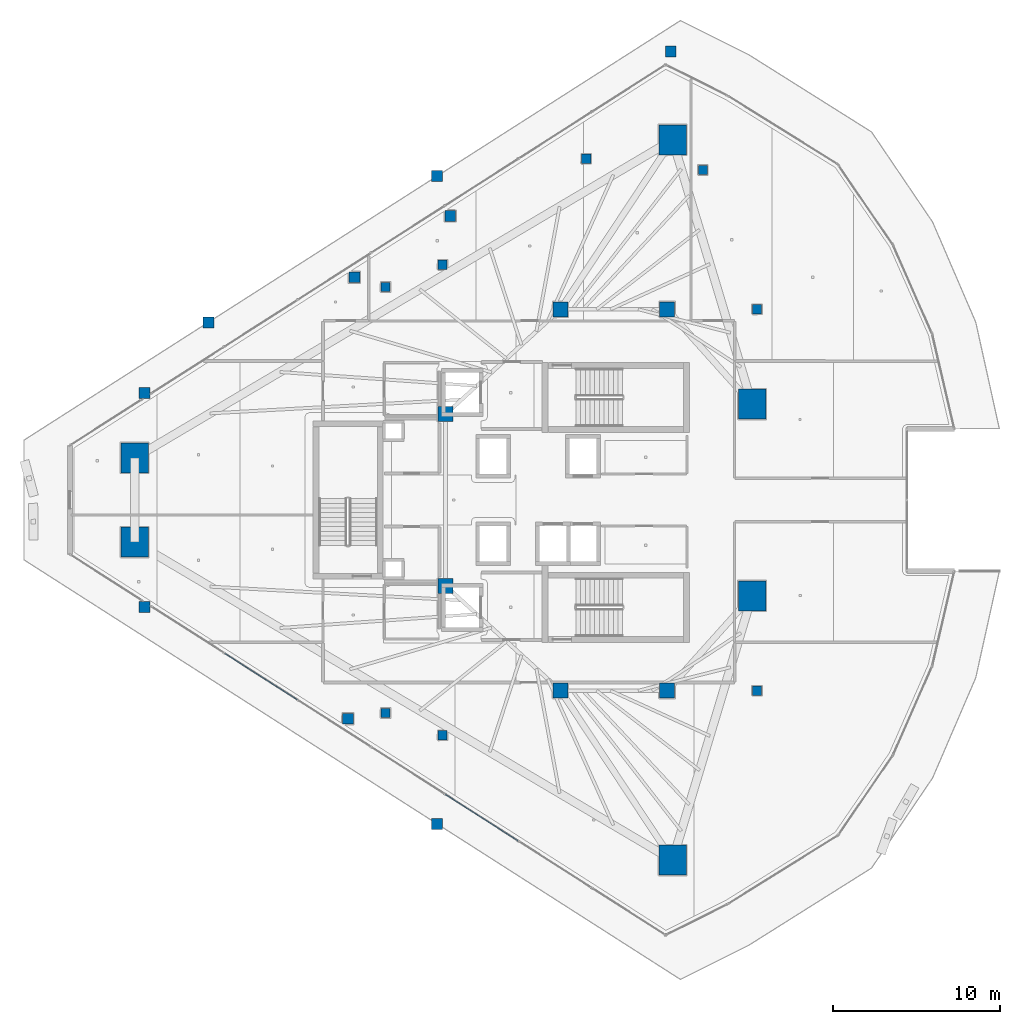
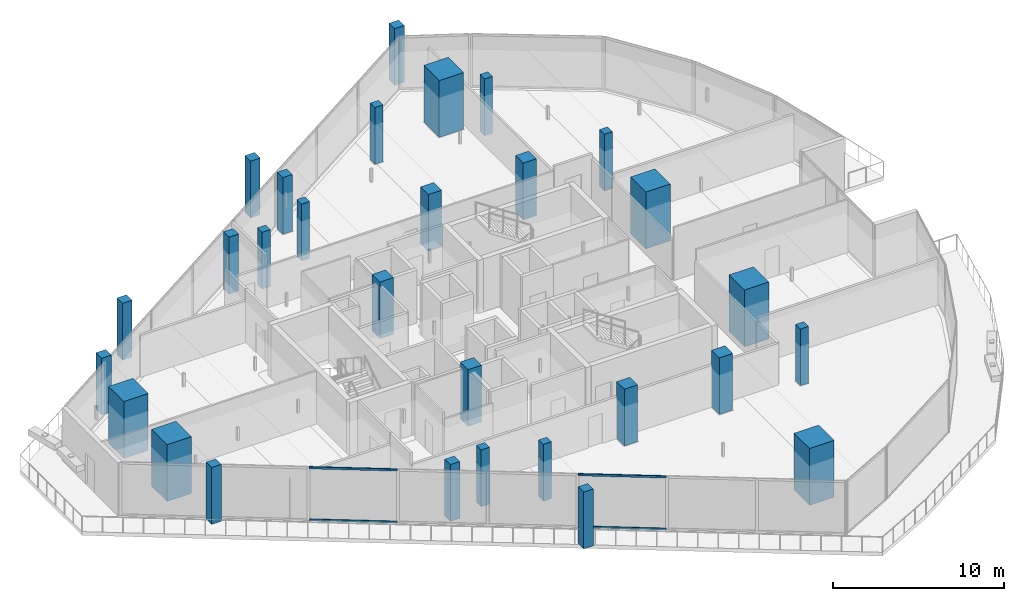
# One storey, part 1 of 30: 29 columns, 4 members, 1 element without a shape of its own.
"""IFC4 building model written with IfcOpenShell, lengths in metres."""

from ifc_helpers import new_model, si_unit, direction, frame, origin, origin_2d, place, context, subcontext, project, spatial, rectangle, hollow_rectangle, extrude, material, layer, layer_set, material_profile, profile_set, type_object, element, aggregate, save


model = new_model("IFC4")

# Units and contexts
model_context = context("Model", 3, precision=1e-05, world=origin(), true_north=direction((0.0, 1.0)))
body_context = subcontext(model_context, "Body", "Model", "MODEL_VIEW")
ifc_project = project(units=[si_unit("LENGTHUNIT", "METRE"), si_unit("AREAUNIT", "SQUARE_METRE"), si_unit("VOLUMEUNIT", "CUBIC_METRE"), si_unit("PLANEANGLEUNIT", "RADIAN"), si_unit("MASSUNIT", "GRAM", prefix="KILO")], contexts=[model_context])

# Site, building, storey
site_placement = place(None, origin())
site = spatial("IfcSite", under=ifc_project, at=site_placement, CompositionType="ELEMENT")
building_placement = place(site_placement, origin())
building = spatial("IfcBuilding", under=site, at=building_placement, Name="Qorvath Tower", CompositionType="ELEMENT")
storey_placement = place(building_placement, frame((0.0, 0.0, 217.199951171875)))
storey = spatial("IfcBuildingStorey", under=building, at=storey_placement, Name="L50", CompositionType="ELEMENT", Elevation=217.199951171875)

# Columns
ifc_material_1 = material(Name="Concrete C60/75", Category="concrete")
ifc_material_profile_1 = material_profile(ifc_material_1, rectangle(XDim=1.64990234375, YDim=1.800048828125, at=origin_2d()), Name="MC 1800x1650")
ifc_profile_set_1 = profile_set([ifc_material_profile_1], Name="Concrete C60/75")
column_type_1 = type_object("IfcColumnType", Name="COL-MC4", PredefinedType="COLUMN", material=ifc_profile_set_1)
for number, where, z_axis, x_axis, name in (
    (1, (-49.171875, 2.52783203125, 0.0), (0.0, 0.0, 1.0), (1.0, 0.0, 0.0), "Composite Mega-Column MC1 L50"),
    (2, (-49.171875, -2.52783203125, 0.0), (0.0, 0.0, 1.0), (1.0, 0.0, 0.0), "Composite Mega-Column MC2 L50"),
    (3, (-16.87158203125, -21.627197265625, 0.0), (0.0, 0.0, 1.0), (1.0, 0.0, 0.0), "Composite Mega-Column MC3 L50"),
    (4, (-12.0966796875, -5.7578125, 0.0), (0.0, 0.0, 1.0), (1.0, 0.0, 0.0), "Composite Mega-Column MC4 L50"),
    (5, (-12.0966796875, 5.7578125, 0.0), (0.0, 0.0, 1.0), (1.0, 0.0, 0.0), "Composite Mega-Column MC5 L50"),
    (6, (-16.87158203125, 21.627197265625, 0.0), (0.0, 0.0, 1.0), (1.0, 0.0, 0.0), "Composite Mega-Column MC6 L50"),
):
    element("IfcColumn", number, at=place(storey_placement, frame(where, z_axis=z_axis, x_axis=x_axis)), inside=storey, type_object=column_type_1, Name=name, PredefinedType="COLUMN", context=body_context, shape_type="SweptSolid", body=[
        extrude(rectangle(XDim=1.64990234375, YDim=1.800048828125, at=origin_2d()), origin(), (0.0, 0.0, 1.0), 4.050048828125),
    ])
ifc_material_2 = material(Name="Concrete C50/60", Category="concrete")
ifc_material_profile_2 = material_profile(ifc_material_2, rectangle(XDim=0.89990234375, YDim=0.89990234375, at=origin_2d()), Name="RC 900x900")
ifc_profile_set_2 = profile_set([ifc_material_profile_2], Name="Concrete C50/60")
column_type_2 = type_object("IfcColumnType", Name="COL-RC3", PredefinedType="COLUMN", material=ifc_profile_set_2)
for number, where, z_axis, x_axis, name in (
    (7, (-23.60009765625, 11.449951171875, 0.0), (0.0, 0.0, 1.0), (1.0, 0.0, 0.0), "Core Spine Column CC1 L50"),
    (8, (-17.199951171875, 11.449951171875, 0.0), (0.0, 0.0, 1.0), (1.0, 0.0, 0.0), "Core Spine Column CC2 L50"),
    (9, (-17.199951171875, -11.449951171875, 0.0), (0.0, 0.0, 1.0), (1.0, 0.0, 0.0), "Core Spine Column CC3 L50"),
    (10, (-23.60009765625, -11.449951171875, 0.0), (0.0, 0.0, 1.0), (1.0, 0.0, 0.0), "Core Spine Column CC4 L50"),
    (11, (-30.5, 5.14990234375, 0.0), (0.0, 0.0, 1.0), (1.0, 0.0, 0.0), "Core Spine Column CC5 L50"),
    (12, (-30.5, -5.14990234375, 0.0), (0.0, 0.0, 1.0), (1.0, 0.0, 0.0), "Core Spine Column CC6 L50"),
):
    element("IfcColumn", number, at=place(storey_placement, frame(where, z_axis=z_axis, x_axis=x_axis)), inside=storey, type_object=column_type_2, Name=name, PredefinedType="COLUMN", context=body_context, shape_type="SweptSolid", body=[
        extrude(rectangle(XDim=0.89990234375, YDim=0.89990234375, at=origin_2d()), origin(), (0.0, 0.0, 1.0), 4.050048828125),
    ])
ifc_material_3 = material(Name="Concrete C45/55", Category="concrete")
ifc_material_profile_3 = material_profile(ifc_material_3, rectangle(XDim=0.64990234375, YDim=0.64990234375, at=origin_2d()), Name="RC 650x650")
ifc_profile_set_3 = profile_set([ifc_material_profile_3], Name="Concrete C45/55")
column_type_3 = type_object("IfcColumnType", Name="COL-RC6", PredefinedType="COLUMN", material=ifc_profile_set_3)
for number, where, z_axis, x_axis, name in (
    (13, (-31.01611328125, 19.46044921875, 0.0), (0.0, 0.0, 1.0), (1.0, 0.0, 0.0), "Loggia Frame Pier Column LGD1 L50"),
    (14, (-31.01611328125, -19.46044921875, 0.0), (0.0, 0.0, 1.0), (1.0, 0.0, 0.0), "Loggia Frame Pier Column LGD2 L50"),
    (15, (-44.736328125, 10.65234375, 0.0), (0.0, 0.0, 1.0), (1.0, 0.0, 0.0), "Loggia Frame Pier Column LGD3 L50"),
    (16, (-48.578369140625, 6.424560546875, 0.0), (0.0, 0.0, 1.0), (1.0, 0.0, 0.0), "Loggia Frame Pier Column LGE1 L50"),
    (17, (-48.578369140625, -6.424560546875, 0.0), (0.0, 0.0, 1.0), (1.0, 0.0, 0.0), "Loggia Frame Pier Column LGE2 L50"),
    (18, (-16.981201171875, 26.92919921875, 0.0), (0.0, 0.0, 1.0), (1.0, 0.0, 0.0), "Loggia Frame Pier Column LGE3 L50"),
    (19, (-35.980712890625, 13.380859375, 0.0), (0.0, 0.0, 1.0), (1.0, 0.0, 0.0), "Loggia Frame Pier Column LGF1 L50"),
    (20, (-36.36474609375, -13.135498046875, 0.0), (0.0, 0.0, 1.0), (1.0, 0.0, 0.0), "Loggia Frame Pier Column LGF2 L50"),
    (21, (-30.224853515625, 17.0595703125, 0.0), (0.0, 0.0, 1.0), (1.0, 0.0, 0.0), "Loggia Frame Pier Column LGF3 L50"),
):
    element("IfcColumn", number, at=place(storey_placement, frame(where, z_axis=z_axis, x_axis=x_axis)), inside=storey, type_object=column_type_3, Name=name, PredefinedType="COLUMN", context=body_context, shape_type="SweptSolid", body=[
        extrude(rectangle(XDim=0.64990234375, YDim=0.64990234375, at=origin_2d()), origin(), (0.0, 0.0, 1.0), 4.050048828125),
    ])
ifc_material_4 = material(Name="Concrete C45/55", Category="concrete")
ifc_material_profile_4 = material_profile(ifc_material_4, rectangle(XDim=0.550048828125, YDim=0.550048828125, at=origin_2d()), Name="RC 550x550")
ifc_profile_set_4 = profile_set([ifc_material_profile_4], Name="Concrete C45/55")
column_type_4 = type_object("IfcColumnType", Name="COL-RC7", PredefinedType="COLUMN", material=ifc_profile_set_4)
for number, where, z_axis, x_axis, name in (
    (22, (-34.104248046875, 12.79248046875, 0.0), (0.0, 0.0, 1.0), (1.0, 0.0, 0.0), "Loggia Frame Pier Column LGG1 L50"),
    (23, (-34.104248046875, -12.79248046875, 0.0), (0.0, 0.0, 1.0), (1.0, 0.0, 0.0), "Loggia Frame Pier Column LGG2 L50"),
    (24, (-22.05322265625, 20.494873046875, 0.0), (0.0, 0.0, 1.0), (1.0, 0.0, 0.0), "Loggia Frame Pier Column LGG3 L50"),
    (25, (-30.67724609375, 14.124267578125, 0.0), (0.0, 0.0, 1.0), (1.0, 0.0, 0.0), "Loggia Frame Pier Column LGH1 L50"),
    (26, (-30.67724609375, -14.124267578125, 0.0), (0.0, 0.0, 1.0), (1.0, 0.0, 0.0), "Loggia Frame Pier Column LGH2 L50"),
    (27, (-15.046142578125, 19.818115234375, 0.0), (0.0, 0.0, 1.0), (1.0, 0.0, 0.0), "Loggia Frame Pier Column LGH3 L50"),
    (28, (-11.800048828125, -11.449951171875, 0.0), (0.0, 0.0, 1.0), (1.0, 0.0, 0.0), "Central Slot Jamb Column SC1 L50"),
    (29, (-11.800048828125, 11.449951171875, 0.0), (0.0, 0.0, 1.0), (1.0, 0.0, 0.0), "Central Slot Jamb Column SC2 L50"),
):
    element("IfcColumn", number, at=place(storey_placement, frame(where, z_axis=z_axis, x_axis=x_axis)), inside=storey, type_object=column_type_4, Name=name, PredefinedType="COLUMN", context=body_context, shape_type="SweptSolid", body=[
        extrude(rectangle(XDim=0.550048828125, YDim=0.550048828125, at=origin_2d()), origin(), (0.0, 0.0, 1.0), 4.050048828125),
    ])

# Curtain wall, members
ifc_material_5 = material(Name="Anodised aluminium and triple low-E glass", Category="aluminium")
ifc_layer = layer(ifc_material_5, 0.179931640625)
ifc_layer_set = layer_set([ifc_layer], Name="CW-SYS-3")
curtain_wall_type = type_object("IfcCurtainWallType", Name="CW-SYS-3", PredefinedType="NOTDEFINED", material=ifc_layer_set)
curtain_wall_placement = place(storey_placement, origin())
curtain_wall = element("IfcCurtainWall", 30, at=curtain_wall_placement, inside=storey, type_object=curtain_wall_type, Name="Curtain Wall CW-3 CW-T-L50-2.2", PredefinedType="NOTDEFINED")
ifc_material_6 = material(Name="Anodised aluminium 6063-T6", Category="aluminium")
ifc_material_profile_5 = material_profile(ifc_material_6, hollow_rectangle(XDim=0.06494140625, YDim=0.159912109375, WallThickness=0.00341796875, InnerFilletRadius=0.00341796875, OuterFilletRadius=0.007080078125, at=origin_2d()), Name="CWT 160x65")
ifc_profile_set_5 = profile_set([ifc_material_profile_5], Name="Anodised aluminium 6063-T6")
member_type = type_object("IfcMemberType", Name="CWT-160", PredefinedType="USERDEFINED", material=ifc_profile_set_5)
member_1_placement = place(storey_placement, frame((-43.763916015625, -9.213134765625, 0.032470703125), z_axis=(0.842582136458, -0.538567863246, 0.0), x_axis=(0.538567863246, 0.842582136458, 0.0)))
member_1 = element("IfcMember", 31, at=member_1_placement, type_object=member_type, Name="CW-3 transom 2.1", ObjectType="TRANSOM", PredefinedType="USERDEFINED", context=body_context, shape_type="SweptSolid", body=[
    extrude(hollow_rectangle(XDim=0.06494140625, YDim=0.159912109375, WallThickness=0.00341796875, InnerFilletRadius=0.00341796875, OuterFilletRadius=0.007080078125, at=origin_2d()), origin(), (0.0, 0.0, 1.0), 5.17724609375),
])
member_2_placement = place(storey_placement, frame((-43.763916015625, -9.213134765625, 3.74755859375), z_axis=(0.842582136458, -0.538567863246, 0.0), x_axis=(0.538567863246, 0.842582136458, 0.0)))
member_2 = element("IfcMember", 32, at=member_2_placement, type_object=member_type, Name="CW-3 transom 2.2", ObjectType="TRANSOM", PredefinedType="USERDEFINED", context=body_context, shape_type="SweptSolid", body=[
    extrude(hollow_rectangle(XDim=0.06494140625, YDim=0.159912109375, WallThickness=0.00341796875, InnerFilletRadius=0.00341796875, OuterFilletRadius=0.007080078125, at=origin_2d()), origin(), (0.0, 0.0, 1.0), 5.17724609375),
])
member_3_placement = place(storey_placement, frame((-30.5126953125, -17.6826171875, 0.032470703125), z_axis=(0.842617210776, -0.538512986013, 0.0), x_axis=(0.538512986013, 0.842617210776, 0.0)))
member_3 = element("IfcMember", 33, at=member_3_placement, type_object=member_type, Name="CW-3 transom 5.1", ObjectType="TRANSOM", PredefinedType="USERDEFINED", context=body_context, shape_type="SweptSolid", body=[
    extrude(hollow_rectangle(XDim=0.06494140625, YDim=0.159912109375, WallThickness=0.00341796875, InnerFilletRadius=0.00341796875, OuterFilletRadius=0.007080078125, at=origin_2d()), origin(), (0.0, 0.0, 1.0), 5.177490234375),
])
member_4_placement = place(storey_placement, frame((-30.5126953125, -17.6826171875, 3.74755859375), z_axis=(0.842617210776, -0.538512986013, 0.0), x_axis=(0.538512986013, 0.842617210776, 0.0)))
member_4 = element("IfcMember", 34, at=member_4_placement, type_object=member_type, Name="CW-3 transom 5.2", ObjectType="TRANSOM", PredefinedType="USERDEFINED", context=body_context, shape_type="SweptSolid", body=[
    extrude(hollow_rectangle(XDim=0.06494140625, YDim=0.159912109375, WallThickness=0.00341796875, InnerFilletRadius=0.00341796875, OuterFilletRadius=0.007080078125, at=origin_2d()), origin(), (0.0, 0.0, 1.0), 5.177490234375),
])
aggregate(curtain_wall, [member_1, member_2, member_3, member_4])

save(model, "model.ifc")
